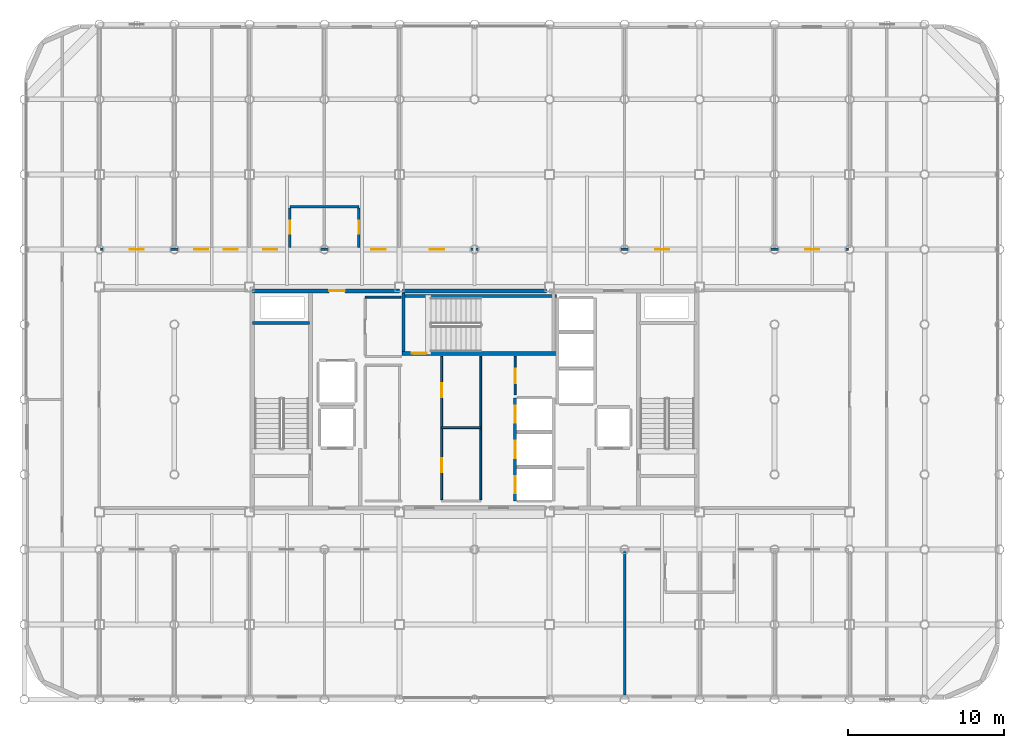
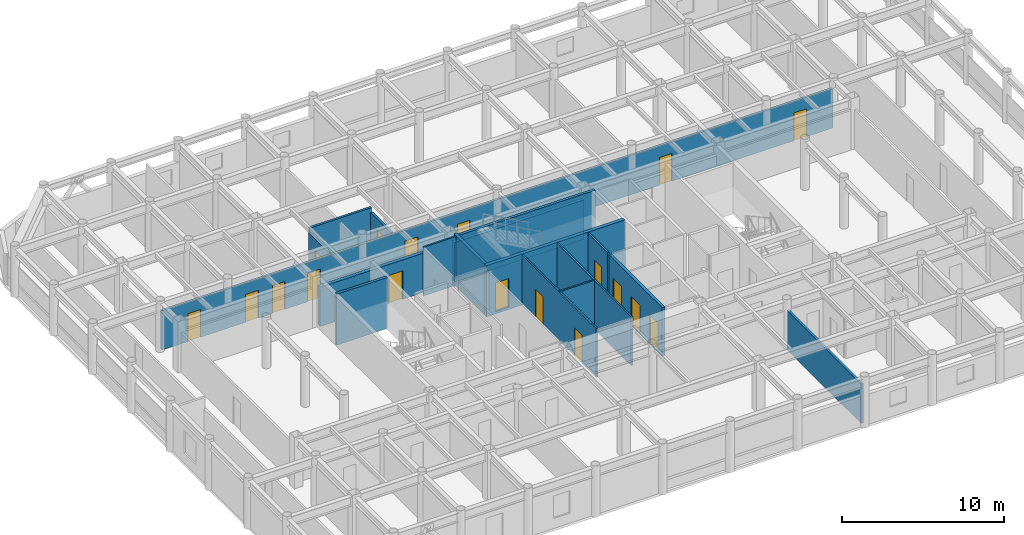
# One storey, part 19 of 22: 18 doors, 17 walls, 18 openings.
"""IFC4 building model written with IfcOpenShell, lengths in metres."""

from ifc_helpers import new_model, si_unit, direction, frame, frame_2d, origin, place, context, subcontext, project, spatial, rectangle, extrude, material, layer, layer_set, type_object, element, fill, save


model = new_model("IFC4")

# Units and contexts
model_context = context("Model", 3, precision=1e-05, world=origin(), true_north=direction((0.0, 1.0)))
body_context = subcontext(model_context, "Body", "Model", "MODEL_VIEW")
ifc_project = project(units=[si_unit("LENGTHUNIT", "METRE"), si_unit("AREAUNIT", "SQUARE_METRE"), si_unit("VOLUMEUNIT", "CUBIC_METRE"), si_unit("PLANEANGLEUNIT", "RADIAN"), si_unit("MASSUNIT", "GRAM", prefix="KILO")], contexts=[model_context])

# Site, building, storey
site_placement = place(None, origin())
site = spatial("IfcSite", under=ifc_project, at=site_placement, CompositionType="ELEMENT")
building_placement = place(site_placement, origin())
building = spatial("IfcBuilding", under=site, at=building_placement, Name="Kallvorn Hotel Tower", CompositionType="ELEMENT")
storey_placement = place(building_placement, frame((0.0, 0.0, 230.0)))
storey = spatial("IfcBuildingStorey", under=building, at=storey_placement, Name="L57", CompositionType="ELEMENT", Elevation=230.0)

# Wall, openings, doors
ifc_material_1 = material(Name="Fire-rated double-layer acoustic gypsum drywall EI 60")
ifc_layer_1 = layer(ifc_material_1, 0.159912109375)
ifc_layer_set_1 = layer_set([ifc_layer_1], Name="WL_DEMISE_160")
wall_type_1 = type_object("IfcWallType", Name="WL_DEMISE_160", PredefinedType="PARTITIONING", material=ifc_layer_set_1)
wall_1_placement = place(storey_placement, frame((-23.919921875, 9.60009765625, 0.0), z_axis=(0.0, 0.0, 1.0), x_axis=(1.0, 0.0, 0.0)))
wall_1 = element("IfcWall", 1, at=wall_1_placement, inside=storey, type_object=wall_type_1, Name="L57 Suite 5703 Standard Twin Room Partition", PredefinedType="PARTITIONING", context=body_context, shape_type="SweptSolid", body=[
    extrude(rectangle(XDim=47.83984375, YDim=0.159912109375, at=frame_2d((23.919921875, 0.0))), origin(), (0.0, 0.0, 1.0), 2.969970703125),
])
opening_1_placement = place(wall_1_placement, frame((1.8701171875, 0.0, 0.0)))
opening_1 = element("IfcOpeningElement", 2, at=opening_1_placement, cuts=wall_1, Name="Opening SVD1", PredefinedType="OPENING", context=body_context, shape_type="SweptSolid", body=[
    extrude(rectangle(XDim=0.89990234375, YDim=2.10009765625, at=frame_2d((0.449951171875, 1.050048828125))), frame((0.0, 0.094970703125, 0.0), z_axis=(0.0, -1.0, 0.0), x_axis=(1.0, 0.0, 0.0)), (0.0, 0.0, 1.0), 0.18994140625),
])
opening_2_placement = place(wall_1_placement, frame((45.070068359375, 0.0, 0.0)))
opening_2 = element("IfcOpeningElement", 3, at=opening_2_placement, cuts=wall_1, Name="Opening SVD1", PredefinedType="OPENING", context=body_context, shape_type="SweptSolid", body=[
    extrude(rectangle(XDim=0.89990234375, YDim=2.10009765625, at=frame_2d((0.449951171875, 1.050048828125))), frame((0.0, 0.094970703125, 0.0), z_axis=(0.0, -1.0, 0.0), x_axis=(1.0, 0.0, 0.0)), (0.0, 0.0, 1.0), 0.18994140625),
])
opening_3_placement = place(wall_1_placement, frame((5.97998046875, 0.0, 0.0)))
opening_3 = element("IfcOpeningElement", 4, at=opening_3_placement, cuts=wall_1, Name="Opening SVD1", PredefinedType="OPENING", context=body_context, shape_type="SweptSolid", body=[
    extrude(rectangle(XDim=0.89990234375, YDim=2.10009765625, at=frame_2d((0.449951171875, 1.050048828125))), frame((0.0, 0.094970703125, 0.0), z_axis=(0.0, -1.0, 0.0), x_axis=(1.0, 0.0, 0.0)), (0.0, 0.0, 1.0), 0.18994140625),
])
opening_4_placement = place(wall_1_placement, frame((7.8701171875, 0.0, 0.0)))
opening_4 = element("IfcOpeningElement", 5, at=opening_4_placement, cuts=wall_1, Name="Opening SVD1", PredefinedType="OPENING", context=body_context, shape_type="SweptSolid", body=[
    extrude(rectangle(XDim=0.89990234375, YDim=2.10009765625, at=frame_2d((0.449951171875, 1.050048828125))), frame((0.0, 0.094970703125, 0.0), z_axis=(0.0, -1.0, 0.0), x_axis=(1.0, 0.0, 0.0)), (0.0, 0.0, 1.0), 0.18994140625),
])
opening_5_placement = place(wall_1_placement, frame((10.39501953125, 0.0, 0.0)))
opening_5 = element("IfcOpeningElement", 6, at=opening_5_placement, cuts=wall_1, Name="Opening GD1", PredefinedType="OPENING", context=body_context, shape_type="SweptSolid", body=[
    extrude(rectangle(XDim=0.919921875, YDim=2.14990234375, at=frame_2d((0.4599609375, 1.074951171875))), frame((0.0, 0.094970703125, 0.0), z_axis=(0.0, -1.0, 0.0), x_axis=(1.0, 0.0, 0.0)), (0.0, 0.0, 1.0), 0.18994140625),
])
opening_6_placement = place(wall_1_placement, frame((17.324951171875, 0.0, 0.0)))
opening_6 = element("IfcOpeningElement", 7, at=opening_6_placement, cuts=wall_1, Name="Opening GD1", PredefinedType="OPENING", context=body_context, shape_type="SweptSolid", body=[
    extrude(rectangle(XDim=0.919921875, YDim=2.14990234375, at=frame_2d((0.4599609375, 1.074951171875))), frame((0.0, 0.094970703125, 0.0), z_axis=(0.0, -1.0, 0.0), x_axis=(1.0, 0.0, 0.0)), (0.0, 0.0, 1.0), 0.18994140625),
])
opening_7_placement = place(wall_1_placement, frame((21.070068359375, 0.0, 0.0)))
opening_7 = element("IfcOpeningElement", 8, at=opening_7_placement, cuts=wall_1, Name="Opening SVD1", PredefinedType="OPENING", context=body_context, shape_type="SweptSolid", body=[
    extrude(rectangle(XDim=0.89990234375, YDim=2.10009765625, at=frame_2d((0.449951171875, 1.050048828125))), frame((0.0, 0.094970703125, 0.0), z_axis=(0.0, -1.0, 0.0), x_axis=(1.0, 0.0, 0.0)), (0.0, 0.0, 1.0), 0.18994140625),
])
opening_8_placement = place(wall_1_placement, frame((35.469970703125, 0.0, 0.0)))
opening_8 = element("IfcOpeningElement", 9, at=opening_8_placement, cuts=wall_1, Name="Opening SVD1", PredefinedType="OPENING", context=body_context, shape_type="SweptSolid", body=[
    extrude(rectangle(XDim=0.89990234375, YDim=2.10009765625, at=frame_2d((0.449951171875, 1.050048828125))), frame((0.0, 0.094970703125, 0.0), z_axis=(0.0, -1.0, 0.0), x_axis=(1.0, 0.0, 0.0)), (0.0, 0.0, 1.0), 0.18994140625),
])
ifc_material_2 = material(Name="Solid-core walnut veneer fire-rated timber door leaf", Category="wood")
door_type_1 = type_object("IfcDoorType", Name="DR_GUEST_920x2150", OperationType="NOTDEFINED", PredefinedType="DOOR", material=ifc_material_2)
door_1_placement = place(opening_5_placement, origin())
door_1 = element("IfcDoor", 10, at=door_1_placement, inside=storey, type_object=door_type_1, Name="L57 Suite 5703 Standard Twin Room Door", OperationType="SINGLE_SWING_RIGHT", OverallHeight=2.14990234375, OverallWidth=0.919921875, PredefinedType="DOOR", context=body_context, shape_type="SweptSolid", body=[
    extrude(rectangle(XDim=0.919921875, YDim=2.14990234375, at=frame_2d((0.4599609375, 1.074951171875))), frame((0.0, 0.02490234375, 0.0), z_axis=(0.0, -1.0, 0.0), x_axis=(1.0, 0.0, 0.0)), (0.0, 0.0, 1.0), 0.050048828125),
])
fill(opening_5, door_1)
door_2_placement = place(opening_6_placement, origin())
door_2 = element("IfcDoor", 11, at=door_2_placement, inside=storey, type_object=door_type_1, Name="L57 Suite 5704 Standard Twin Room Door", OperationType="SINGLE_SWING_RIGHT", OverallHeight=2.14990234375, OverallWidth=0.919921875, PredefinedType="DOOR", context=body_context, shape_type="SweptSolid", body=[
    extrude(rectangle(XDim=0.919921875, YDim=2.14990234375, at=frame_2d((0.4599609375, 1.074951171875))), frame((0.0, 0.02490234375, 0.0), z_axis=(0.0, -1.0, 0.0), x_axis=(1.0, 0.0, 0.0)), (0.0, 0.0, 1.0), 0.050048828125),
])
fill(opening_6, door_2)
ifc_material_3 = material(Name="Galvanised painted steel fire-rated door assembly", Category="steel")
door_type_2 = type_object("IfcDoorType", Name="DR_SERV_900x2100", OperationType="NOTDEFINED", PredefinedType="DOOR", material=ifc_material_3)
door_3_placement = place(opening_1_placement, origin())
door_3 = element("IfcDoor", 12, at=door_3_placement, inside=storey, type_object=door_type_2, Name="L57 L57 High-Zone North-West Reading Salon Door", OperationType="SINGLE_SWING_LEFT", OverallHeight=2.10009765625, OverallWidth=0.89990234375, PredefinedType="DOOR", context=body_context, shape_type="SweptSolid", body=[
    extrude(rectangle(XDim=0.89990234375, YDim=2.10009765625, at=frame_2d((0.449951171875, 1.050048828125))), frame((0.0, 0.02490234375, 0.0), z_axis=(0.0, -1.0, 0.0), x_axis=(1.0, 0.0, 0.0)), (0.0, 0.0, 1.0), 0.050048828125),
])
fill(opening_1, door_3)
door_4_placement = place(opening_2_placement, origin())
door_4 = element("IfcDoor", 13, at=door_4_placement, inside=storey, type_object=door_type_2, Name="L57 L57 High-Zone North-East Pastry Bar Door", OperationType="SINGLE_SWING_RIGHT", OverallHeight=2.10009765625, OverallWidth=0.89990234375, PredefinedType="DOOR", context=body_context, shape_type="SweptSolid", body=[
    extrude(rectangle(XDim=0.89990234375, YDim=2.10009765625, at=frame_2d((0.449951171875, 1.050048828125))), frame((0.0, 0.02490234375, 0.0), z_axis=(0.0, -1.0, 0.0), x_axis=(1.0, 0.0, 0.0)), (0.0, 0.0, 1.0), 0.050048828125),
])
fill(opening_2, door_4)
door_5_placement = place(opening_3_placement, origin())
door_5 = element("IfcDoor", 14, at=door_5_placement, inside=storey, type_object=door_type_2, Name="L57 Housekeeping and Linen Room Door", OperationType="SINGLE_SWING_RIGHT", OverallHeight=2.10009765625, OverallWidth=0.89990234375, PredefinedType="DOOR", context=body_context, shape_type="SweptSolid", body=[
    extrude(rectangle(XDim=0.89990234375, YDim=2.10009765625, at=frame_2d((0.449951171875, 1.050048828125))), frame((0.0, 0.02490234375, 0.0), z_axis=(0.0, -1.0, 0.0), x_axis=(1.0, 0.0, 0.0)), (0.0, 0.0, 1.0), 0.050048828125),
])
fill(opening_3, door_5)
door_6_placement = place(opening_4_placement, origin())
door_6 = element("IfcDoor", 15, at=door_6_placement, inside=storey, type_object=door_type_2, Name="L57 Guest Tea and Refreshment Bar Door", OperationType="SINGLE_SWING_LEFT", OverallHeight=2.10009765625, OverallWidth=0.89990234375, PredefinedType="DOOR", context=body_context, shape_type="SweptSolid", body=[
    extrude(rectangle(XDim=0.89990234375, YDim=2.10009765625, at=frame_2d((0.449951171875, 1.050048828125))), frame((0.0, 0.02490234375, 0.0), z_axis=(0.0, -1.0, 0.0), x_axis=(1.0, 0.0, 0.0)), (0.0, 0.0, 1.0), 0.050048828125),
])
fill(opening_4, door_6)
door_7_placement = place(opening_7_placement, origin())
door_7 = element("IfcDoor", 16, at=door_7_placement, inside=storey, type_object=door_type_2, Name="L57 L57 Executive Co-Working Open-Plan Office 4 Door", OperationType="SINGLE_SWING_LEFT", OverallHeight=2.10009765625, OverallWidth=0.89990234375, PredefinedType="DOOR", context=body_context, shape_type="SweptSolid", body=[
    extrude(rectangle(XDim=0.89990234375, YDim=2.10009765625, at=frame_2d((0.449951171875, 1.050048828125))), frame((0.0, 0.02490234375, 0.0), z_axis=(0.0, -1.0, 0.0), x_axis=(1.0, 0.0, 0.0)), (0.0, 0.0, 1.0), 0.050048828125),
])
fill(opening_7, door_7)
door_8_placement = place(opening_8_placement, origin())
door_8 = element("IfcDoor", 17, at=door_8_placement, inside=storey, type_object=door_type_2, Name="L57 L57 Andean Tasting Sky Restaurant 5 Door", OperationType="SINGLE_SWING_LEFT", OverallHeight=2.10009765625, OverallWidth=0.89990234375, PredefinedType="DOOR", context=body_context, shape_type="SweptSolid", body=[
    extrude(rectangle(XDim=0.89990234375, YDim=2.10009765625, at=frame_2d((0.449951171875, 1.050048828125))), frame((0.0, 0.02490234375, 0.0), z_axis=(0.0, -1.0, 0.0), x_axis=(1.0, 0.0, 0.0)), (0.0, 0.0, 1.0), 0.050048828125),
])
fill(opening_8, door_8)

# Wall
wall_2_placement = place(storey_placement, frame((-11.81005859375, 12.320068359375, 0.0), z_axis=(0.0, 0.0, 1.0), x_axis=(1.0, 0.0, 0.0)))
element("IfcWall", 18, at=wall_2_placement, inside=storey, type_object=wall_type_1, Name="L57 Suite 5703 Standard Twin Room Partition", PredefinedType="PARTITIONING", context=body_context, shape_type="SweptSolid", body=[
    extrude(rectangle(XDim=4.420166015625, YDim=0.159912109375, at=frame_2d((2.2099609375, 0.0))), origin(), (0.0, 0.0, 1.0), 3.31005859375),
])

# Wall, opening, door
wall_3_placement = place(storey_placement, frame((-11.81005859375, 9.719970703125, 0.0), z_axis=(0.0, 0.0, 1.0), x_axis=(0.0, 1.0, 0.0)))
wall_3 = element("IfcWall", 19, at=wall_3_placement, inside=storey, type_object=wall_type_1, Name="L57 Suite 5703 Standard Twin Room Partition", PredefinedType="PARTITIONING", context=body_context, shape_type="SweptSolid", body=[
    extrude(rectangle(XDim=2.51513671875, YDim=0.159912109375, at=frame_2d((1.257568359375, 0.0))), origin(), (0.0, 0.0, 1.0), 2.969970703125),
])
opening_9_placement = place(wall_3_placement, frame((0.8701171875, 0.0, 0.0)))
opening_9 = element("IfcOpeningElement", 20, at=opening_9_placement, cuts=wall_3, Name="Opening BD-I", PredefinedType="OPENING", context=body_context, shape_type="SweptSolid", body=[
    extrude(rectangle(XDim=0.860107421875, YDim=2.10009765625, at=frame_2d((0.43017578125, 1.050048828125))), frame((0.0, 0.094970703125, 0.0), z_axis=(0.0, -1.0, 0.0), x_axis=(1.0, 0.0, 0.0)), (0.0, 0.0, 1.0), 0.18994140625),
])
ifc_material_4 = material(Name="Solid-core walnut veneer fire-rated timber door leaf", Category="wood")
door_type_3 = type_object("IfcDoorType", Name="DR_BATH_860x2100", OperationType="NOTDEFINED", PredefinedType="DOOR", material=ifc_material_4)
door_9_placement = place(opening_9_placement, origin())
door_9 = element("IfcDoor", 21, at=door_9_placement, inside=storey, type_object=door_type_3, Name="L57 Suite 5703 En-Suite Bathroom Door", OperationType="SINGLE_SWING_RIGHT", OverallHeight=2.10009765625, OverallWidth=0.860107421875, PredefinedType="DOOR", context=body_context, shape_type="SweptSolid", body=[
    extrude(rectangle(XDim=0.860107421875, YDim=2.10009765625, at=frame_2d((0.43017578125, 1.050048828125))), frame((0.0, 0.02490234375, 0.0), z_axis=(0.0, -1.0, 0.0), x_axis=(1.0, 0.0, 0.0)), (0.0, 0.0, 1.0), 0.050048828125),
])
fill(opening_9, door_9)

wall_4_placement = place(storey_placement, frame((-7.389892578125, 9.719970703125, 0.0), z_axis=(0.0, 0.0, 1.0), x_axis=(0.0, 1.0, 0.0)))
wall_4 = element("IfcWall", 22, at=wall_4_placement, inside=storey, type_object=wall_type_1, Name="L57 Suite 5704 Standard Twin Room Partition", PredefinedType="PARTITIONING", context=body_context, shape_type="SweptSolid", body=[
    extrude(rectangle(XDim=2.51513671875, YDim=0.159912109375, at=frame_2d((1.257568359375, 0.0))), origin(), (0.0, 0.0, 1.0), 2.969970703125),
])
opening_10_placement = place(wall_4_placement, frame((0.8701171875, 0.0, 0.0)))
opening_10 = element("IfcOpeningElement", 23, at=opening_10_placement, cuts=wall_4, Name="Opening BD-I", PredefinedType="OPENING", context=body_context, shape_type="SweptSolid", body=[
    extrude(rectangle(XDim=0.860107421875, YDim=2.10009765625, at=frame_2d((0.43017578125, 1.050048828125))), frame((0.0, 0.094970703125, 0.0), z_axis=(0.0, -1.0, 0.0), x_axis=(1.0, 0.0, 0.0)), (0.0, 0.0, 1.0), 0.18994140625),
])
door_10_placement = place(opening_10_placement, origin())
door_10 = element("IfcDoor", 24, at=door_10_placement, inside=storey, type_object=door_type_3, Name="L57 Suite 5704 En-Suite Bathroom Door", OperationType="SINGLE_SWING_LEFT", OverallHeight=2.10009765625, OverallWidth=0.860107421875, PredefinedType="DOOR", context=body_context, shape_type="SweptSolid", body=[
    extrude(rectangle(XDim=0.860107421875, YDim=2.10009765625, at=frame_2d((0.43017578125, 1.050048828125))), frame((0.0, 0.02490234375, 0.0), z_axis=(0.0, -1.0, 0.0), x_axis=(1.0, 0.0, 0.0)), (0.0, 0.0, 1.0), 0.050048828125),
])
fill(opening_10, door_10)

# Walls
wall_5_placement = place(storey_placement, frame((9.60009765625, -18.909912109375, 0.0), z_axis=(0.0, 0.0, 1.0), x_axis=(0.0, 1.0, 0.0)))
element("IfcWall", 25, at=wall_5_placement, inside=storey, type_object=wall_type_1, Name="L57 Suite 5701 Superior Twin Room Partition", PredefinedType="PARTITIONING", context=body_context, shape_type="SweptSolid", body=[
    extrude(rectangle(XDim=9.18994140625, YDim=0.159912109375, at=frame_2d((4.594970703125, 0.0))), origin(), (0.0, 0.0, 1.0), 2.969970703125),
])
ifc_material_5 = material(Name="Concrete C40/50", Category="concrete")
ifc_layer_2 = layer(ifc_material_5, 0.199951171875)
ifc_layer_set_2 = layer_set([ifc_layer_2], Name="WL_HOIST_200")
wall_type_2 = type_object("IfcWallType", Name="WL_HOIST_200", PredefinedType="SOLIDWALL", material=ifc_layer_set_2)
wall_6_placement = place(storey_placement, frame((-14.199951171875, 4.89990234375, -0.179931640625), z_axis=(0.0, 0.0, 1.0), x_axis=(1.0, 0.0, 0.0)))
element("IfcWall", 26, at=wall_6_placement, inside=storey, type_object=wall_type_2, Name="L57 Stair ST1 North Wall", PredefinedType="SOLIDWALL", context=body_context, shape_type="SweptSolid", body=[
    extrude(rectangle(XDim=3.64990234375, YDim=0.199951171875, at=frame_2d((1.824951171875, 0.0))), origin(), (0.0, 0.0, 1.0), 3.849853515625),
])
wall_7_placement = place(storey_placement, frame((-4.64990234375, 6.610107421875, -0.179931640625), z_axis=(0.0, 0.0, 1.0), x_axis=(1.0, 0.0, 0.0)))
element("IfcWall", 27, at=wall_7_placement, inside=storey, type_object=wall_type_2, Name="L57 Stair ST3 Shaft North Wall", PredefinedType="SOLIDWALL", context=body_context, shape_type="SweptSolid", body=[
    extrude(rectangle(XDim=9.89990234375, YDim=0.199951171875, at=frame_2d((4.949951171875, 0.0))), origin(), (0.0, 0.0, 1.0), 3.849853515625),
])
wall_8_placement = place(storey_placement, frame((-4.550048828125, 3.080078125, -0.179931640625), z_axis=(0.0, 0.0, 1.0), x_axis=(0.0, 1.0, 0.0)))
element("IfcWall", 28, at=wall_8_placement, inside=storey, type_object=wall_type_2, Name="L57 Stair ST3 West Wall", PredefinedType="SOLIDWALL", context=body_context, shape_type="SweptSolid", body=[
    extrude(rectangle(XDim=3.739990234375, YDim=0.199951171875, at=frame_2d((1.8701171875, 0.0))), origin(), (0.0, 0.0, 1.0), 3.849853515625),
])

# Wall, openings, doors
wall_9_placement = place(storey_placement, frame((2.60009765625, -6.5, 0.0), z_axis=(0.0, 0.0, 1.0), x_axis=(0.0, 1.0, 0.0)))
wall_9 = element("IfcWall", 29, at=wall_9_placement, inside=storey, type_object=wall_type_2, Name="L57 Lift Bank B3A Landing Wall", PredefinedType="SOLIDWALL", context=body_context, shape_type="SweptSolid", body=[
    extrude(rectangle(XDim=6.60009765625, YDim=0.199951171875, at=frame_2d((3.300048828125, 0.0))), origin(), (0.0, 0.0, 1.0), 3.669921875),
])
opening_11_placement = place(wall_9_placement, frame((0.5, 0.0, 0.0)))
opening_11 = element("IfcOpeningElement", 30, at=opening_11_placement, cuts=wall_9, Name="Opening LD-PL-09", PredefinedType="OPENING", context=body_context, shape_type="SweptSolid", body=[
    extrude(rectangle(XDim=1.10009765625, YDim=2.199951171875, at=frame_2d((0.550048828125, 1.10009765625))), frame((0.0, 0.114990234375, 0.0), z_axis=(0.0, -1.0, 0.0), x_axis=(1.0, 0.0, 0.0)), (0.0, 0.0, 1.0), 0.22998046875),
])
opening_12_placement = place(wall_9_placement, frame((2.75, 0.0, 0.0)))
opening_12 = element("IfcOpeningElement", 31, at=opening_12_placement, cuts=wall_9, Name="Opening LD-PL-10", PredefinedType="OPENING", context=body_context, shape_type="SweptSolid", body=[
    extrude(rectangle(XDim=1.10009765625, YDim=2.199951171875, at=frame_2d((0.550048828125, 1.10009765625))), frame((0.0, 0.114990234375, 0.0), z_axis=(0.0, -1.0, 0.0), x_axis=(1.0, 0.0, 0.0)), (0.0, 0.0, 1.0), 0.22998046875),
])
opening_13_placement = place(wall_9_placement, frame((5.0, 0.0, 0.0)))
opening_13 = element("IfcOpeningElement", 32, at=opening_13_placement, cuts=wall_9, Name="Opening LD-PL-11", PredefinedType="OPENING", context=body_context, shape_type="SweptSolid", body=[
    extrude(rectangle(XDim=1.10009765625, YDim=2.199951171875, at=frame_2d((0.550048828125, 1.10009765625))), frame((0.0, 0.114990234375, 0.0), z_axis=(0.0, -1.0, 0.0), x_axis=(1.0, 0.0, 0.0)), (0.0, 0.0, 1.0), 0.22998046875),
])
ifc_material_6 = material(Name="Brushed stainless-steel automatic sliding lift landing door", Category="steel")
door_type_4 = type_object("IfcDoorType", Name="LD_PASS_1100x2200", OperationType="SLIDING_TO_LEFT", PredefinedType="DOOR", material=ifc_material_6)
door_11_placement = place(opening_11_placement, origin())
door_11 = element("IfcDoor", 33, at=door_11_placement, inside=storey, type_object=door_type_4, Name="L57 Lift Landing Sliding Door LD-PL-09", OperationType="SLIDING_TO_LEFT", OverallHeight=2.199951171875, OverallWidth=1.10009765625, PredefinedType="DOOR", context=body_context, shape_type="SweptSolid", body=[
    extrude(rectangle(XDim=1.10009765625, YDim=2.199951171875, at=frame_2d((0.550048828125, 1.10009765625))), frame((0.0, 0.02490234375, 0.0), z_axis=(0.0, -1.0, 0.0), x_axis=(1.0, 0.0, 0.0)), (0.0, 0.0, 1.0), 0.050048828125),
])
fill(opening_11, door_11)
door_12_placement = place(opening_12_placement, origin())
door_12 = element("IfcDoor", 34, at=door_12_placement, inside=storey, type_object=door_type_4, Name="L57 Lift Landing Sliding Door LD-PL-10", OperationType="SLIDING_TO_LEFT", OverallHeight=2.199951171875, OverallWidth=1.10009765625, PredefinedType="DOOR", context=body_context, shape_type="SweptSolid", body=[
    extrude(rectangle(XDim=1.10009765625, YDim=2.199951171875, at=frame_2d((0.550048828125, 1.10009765625))), frame((0.0, 0.02490234375, 0.0), z_axis=(0.0, -1.0, 0.0), x_axis=(1.0, 0.0, 0.0)), (0.0, 0.0, 1.0), 0.050048828125),
])
fill(opening_12, door_12)
door_13_placement = place(opening_13_placement, origin())
door_13 = element("IfcDoor", 35, at=door_13_placement, inside=storey, type_object=door_type_4, Name="L57 Lift Landing Sliding Door LD-PL-11", OperationType="SLIDING_TO_LEFT", OverallHeight=2.199951171875, OverallWidth=1.10009765625, PredefinedType="DOOR", context=body_context, shape_type="SweptSolid", body=[
    extrude(rectangle(XDim=1.10009765625, YDim=2.199951171875, at=frame_2d((0.550048828125, 1.10009765625))), frame((0.0, 0.02490234375, 0.0), z_axis=(0.0, -1.0, 0.0), x_axis=(1.0, 0.0, 0.0)), (0.0, 0.0, 1.0), 0.050048828125),
])
fill(opening_13, door_13)

# Walls
ifc_material_7 = material(Name="Fire-rated double-layer acoustic gypsum drywall EI 60")
ifc_layer_3 = layer(ifc_material_7, 0.1201171875)
ifc_layer_set_3 = layer_set([ifc_layer_3], Name="WL_INT_120")
wall_type_3 = type_object("IfcWallType", Name="WL_INT_120", PredefinedType="PARTITIONING", material=ifc_layer_set_3)
wall_10_placement = place(storey_placement, frame((-2.10009765625, -1.800048828125, 0.0), z_axis=(0.0, 0.0, 1.0), x_axis=(1.0, 0.0, 0.0)))
element("IfcWall", 36, at=wall_10_placement, inside=storey, type_object=wall_type_3, Name="L57 High-Zone Housekeeping Reserve Store Partition", PredefinedType="PARTITIONING", context=body_context, shape_type="SweptSolid", body=[
    extrude(rectangle(XDim=2.5, YDim=0.1201171875, at=frame_2d((1.25, 0.0))), origin(), (0.0, 0.0, 1.0), 3.669921875),
])
wall_11_placement = place(storey_placement, frame((-7.0, 6.550048828125, 0.0), z_axis=(0.0, 0.0, 1.0), x_axis=(1.0, 0.0, 0.0)))
element("IfcWall", 37, at=wall_11_placement, inside=storey, type_object=wall_type_3, Name="L57 Recaptured Valet and Linen Reserve Store Partition", PredefinedType="PARTITIONING", context=body_context, shape_type="SweptSolid", body=[
    extrude(rectangle(XDim=2.31005859375, YDim=0.1201171875, at=frame_2d((1.155029296875, 0.0))), origin(), (0.0, 0.0, 1.0), 3.669921875),
])

# Wall, openings, doors
wall_12_placement = place(storey_placement, frame((-2.10009765625, -6.4150390625, 0.0), z_axis=(0.0, 0.0, 1.0), x_axis=(0.0, 1.0, 0.0)))
wall_12 = element("IfcWall", 38, at=wall_12_placement, inside=storey, type_object=wall_type_3, Name="L57 High-Zone Sommelier and Beverage Pantry Partition", PredefinedType="PARTITIONING", context=body_context, shape_type="SweptSolid", body=[
    extrude(rectangle(XDim=9.1650390625, YDim=0.1201171875, at=frame_2d((4.58251953125, 0.0))), origin(), (0.0, 0.0, 1.0), 3.669921875),
])
opening_14_placement = place(wall_12_placement, frame((1.764892578125, 0.0, 0.0)))
opening_14 = element("IfcOpeningElement", 39, at=opening_14_placement, cuts=wall_12, Name="Opening SVD1", PredefinedType="OPENING", context=body_context, shape_type="SweptSolid", body=[
    extrude(rectangle(XDim=0.89990234375, YDim=2.10009765625, at=frame_2d((0.449951171875, 1.050048828125))), frame((0.0, 0.074951171875, 0.0), z_axis=(0.0, -1.0, 0.0), x_axis=(1.0, 0.0, 0.0)), (0.0, 0.0, 1.0), 0.150146484375),
])
opening_15_placement = place(wall_12_placement, frame((6.56494140625, 0.0, 0.0)))
opening_15 = element("IfcOpeningElement", 40, at=opening_15_placement, cuts=wall_12, Name="Opening SVD1", PredefinedType="OPENING", context=body_context, shape_type="SweptSolid", body=[
    extrude(rectangle(XDim=0.89990234375, YDim=2.10009765625, at=frame_2d((0.449951171875, 1.050048828125))), frame((0.0, 0.074951171875, 0.0), z_axis=(0.0, -1.0, 0.0), x_axis=(1.0, 0.0, 0.0)), (0.0, 0.0, 1.0), 0.150146484375),
])
door_14_placement = place(opening_14_placement, origin())
door_14 = element("IfcDoor", 41, at=door_14_placement, inside=storey, type_object=door_type_2, Name="L57 High-Zone Sommelier and Beverage Pantry Door", OperationType="SINGLE_SWING_LEFT", OverallHeight=2.10009765625, OverallWidth=0.89990234375, PredefinedType="DOOR", context=body_context, shape_type="SweptSolid", body=[
    extrude(rectangle(XDim=0.89990234375, YDim=2.10009765625, at=frame_2d((0.449951171875, 1.050048828125))), frame((0.0, 0.02490234375, 0.0), z_axis=(0.0, -1.0, 0.0), x_axis=(1.0, 0.0, 0.0)), (0.0, 0.0, 1.0), 0.050048828125),
])
fill(opening_14, door_14)
door_15_placement = place(opening_15_placement, origin())
door_15 = element("IfcDoor", 42, at=door_15_placement, inside=storey, type_object=door_type_2, Name="L57 High-Zone Housekeeping Reserve Store Door", OperationType="SINGLE_SWING_RIGHT", OverallHeight=2.10009765625, OverallWidth=0.89990234375, PredefinedType="DOOR", context=body_context, shape_type="SweptSolid", body=[
    extrude(rectangle(XDim=0.89990234375, YDim=2.10009765625, at=frame_2d((0.449951171875, 1.050048828125))), frame((0.0, 0.02490234375, 0.0), z_axis=(0.0, -1.0, 0.0), x_axis=(1.0, 0.0, 0.0)), (0.0, 0.0, 1.0), 0.050048828125),
])
fill(opening_15, door_15)

# Wall
wall_13_placement = place(storey_placement, frame((0.39990234375, -6.4150390625, 0.0), z_axis=(0.0, 0.0, 1.0), x_axis=(0.0, 1.0, 0.0)))
element("IfcWall", 43, at=wall_13_placement, inside=storey, type_object=wall_type_3, Name="L57 High-Zone Sommelier and Beverage Pantry Partition", PredefinedType="PARTITIONING", context=body_context, shape_type="SweptSolid", body=[
    extrude(rectangle(XDim=9.1650390625, YDim=0.1201171875, at=frame_2d((4.58251953125, 0.0))), origin(), (0.0, 0.0, 1.0), 3.669921875),
])

# Wall, opening, door
wall_14_placement = place(storey_placement, frame((2.60009765625, 0.300048828125, 0.0), z_axis=(0.0, 0.0, 1.0), x_axis=(0.0, 1.0, 0.0)))
wall_14 = element("IfcWall", 44, at=wall_14_placement, inside=storey, type_object=wall_type_3, Name="L57 East Core Janitor Room Partition", PredefinedType="PARTITIONING", context=body_context, shape_type="SweptSolid", body=[
    extrude(rectangle(XDim=2.449951171875, YDim=0.1201171875, at=frame_2d((1.22509765625, 0.0))), origin(), (0.0, 0.0, 1.0), 3.669921875),
])
opening_16_placement = place(wall_14_placement, frame((0.75, 0.0, 0.0)))
opening_16 = element("IfcOpeningElement", 45, at=opening_16_placement, cuts=wall_14, Name="Opening SVD1", PredefinedType="OPENING", context=body_context, shape_type="SweptSolid", body=[
    extrude(rectangle(XDim=0.89990234375, YDim=2.10009765625, at=frame_2d((0.449951171875, 1.050048828125))), frame((0.0, 0.074951171875, 0.0), z_axis=(0.0, -1.0, 0.0), x_axis=(1.0, 0.0, 0.0)), (0.0, 0.0, 1.0), 0.150146484375),
])
door_16_placement = place(opening_16_placement, origin())
door_16 = element("IfcDoor", 46, at=door_16_placement, inside=storey, type_object=door_type_2, Name="L57 East Core Janitor Room Door", OperationType="SINGLE_SWING_RIGHT", OverallHeight=2.10009765625, OverallWidth=0.89990234375, PredefinedType="DOOR", context=body_context, shape_type="SweptSolid", body=[
    extrude(rectangle(XDim=0.89990234375, YDim=2.10009765625, at=frame_2d((0.449951171875, 1.050048828125))), frame((0.0, 0.02490234375, 0.0), z_axis=(0.0, -1.0, 0.0), x_axis=(1.0, 0.0, 0.0)), (0.0, 0.0, 1.0), 0.050048828125),
])
fill(opening_16, door_16)

ifc_material_8 = material(Name="Concrete C40/50", Category="concrete")
ifc_layer_4 = layer(ifc_material_8, 0.25)
ifc_layer_set_4 = layer_set([ifc_layer_4], Name="WL_SHAFT_250")
wall_type_4 = type_object("IfcWallType", Name="WL_SHAFT_250", PredefinedType="SOLIDWALL", material=ifc_layer_set_4)
wall_15_placement = place(storey_placement, frame((-14.199951171875, 6.949951171875, 0.0), z_axis=(0.0, 0.0, 1.0), x_axis=(1.0, 0.0, 0.0)))
wall_15 = element("IfcWall", 47, at=wall_15_placement, inside=storey, type_object=wall_type_4, Name="L57 Core North-West Wall", PredefinedType="SOLIDWALL", context=body_context, shape_type="SweptSolid", body=[
    extrude(rectangle(XDim=9.39990234375, YDim=0.25, at=frame_2d((4.699951171875, 0.0))), origin(), (0.0, 0.0, 1.0), 2.969970703125),
])
opening_17_placement = place(wall_15_placement, frame((4.89990234375, 0.0, 0.0)))
opening_17 = element("IfcOpeningElement", 48, at=opening_17_placement, cuts=wall_15, Name="Opening FD1", PredefinedType="OPENING", context=body_context, shape_type="SweptSolid", body=[
    extrude(rectangle(XDim=1.0, YDim=2.14990234375, at=frame_2d((0.5, 1.074951171875))), frame((0.0, 0.139892578125, 0.0), z_axis=(0.0, -1.0, 0.0), x_axis=(1.0, 0.0, 0.0)), (0.0, 0.0, 1.0), 0.280029296875),
])
ifc_material_9 = material(Name="Galvanised painted steel fire-rated door assembly", Category="steel")
door_type_5 = type_object("IfcDoorType", Name="DR_FFL_1000x2150", OperationType="NOTDEFINED", PredefinedType="DOOR", material=ifc_material_9)
door_17_placement = place(opening_17_placement, origin())
door_17 = element("IfcDoor", 49, at=door_17_placement, inside=storey, type_object=door_type_5, Name="L57 Service Lift Lobby Door", OperationType="SINGLE_SWING_LEFT", OverallHeight=2.14990234375, OverallWidth=1.0, PredefinedType="DOOR", context=body_context, shape_type="SweptSolid", body=[
    extrude(rectangle(XDim=1.0, YDim=2.14990234375, at=frame_2d((0.5, 1.074951171875))), frame((0.0, 0.02490234375, 0.0), z_axis=(0.0, -1.0, 0.0), x_axis=(1.0, 0.0, 0.0)), (0.0, 0.0, 1.0), 0.050048828125),
])
fill(opening_17, door_17)

# Wall
wall_16_placement = place(storey_placement, frame((-4.60009765625, 6.949951171875, 0.0), z_axis=(0.0, 0.0, 1.0), x_axis=(1.0, 0.0, 0.0)))
element("IfcWall", 50, at=wall_16_placement, inside=storey, type_object=wall_type_4, Name="L57 Core North-Central Wall", PredefinedType="SOLIDWALL", context=body_context, shape_type="SweptSolid", body=[
    extrude(rectangle(XDim=9.2001953125, YDim=0.25, at=frame_2d((4.60009765625, 0.0))), origin(), (0.0, 0.0, 1.0), 2.969970703125),
])

# Wall, opening, door
wall_17_placement = place(storey_placement, frame((-4.64990234375, 2.949951171875, -0.179931640625), z_axis=(0.0, 0.0, 1.0), x_axis=(1.0, 0.0, 0.0)))
wall_17 = element("IfcWall", 51, at=wall_17_placement, inside=storey, type_object=wall_type_4, Name="L57 Stair ST3 Shaft South Wall", PredefinedType="SOLIDWALL", context=body_context, shape_type="SweptSolid", body=[
    extrude(rectangle(XDim=9.89990234375, YDim=0.25, at=frame_2d((4.949951171875, 0.0))), origin(), (0.0, 0.0, 1.0), 3.849853515625),
])
opening_18_placement = place(wall_17_placement, frame((0.64990234375, 0.0, 0.179931640625)))
opening_18 = element("IfcOpeningElement", 52, at=opening_18_placement, cuts=wall_17, Name="Opening SD1", PredefinedType="OPENING", context=body_context, shape_type="SweptSolid", body=[
    extrude(rectangle(XDim=0.949951171875, YDim=2.14990234375, at=frame_2d((0.47509765625, 1.074951171875))), frame((0.0, 0.139892578125, 0.0), z_axis=(0.0, -1.0, 0.0), x_axis=(1.0, 0.0, 0.0)), (0.0, 0.0, 1.0), 0.280029296875),
])
ifc_material_10 = material(Name="Galvanised painted steel fire-rated door assembly", Category="steel")
door_type_6 = type_object("IfcDoorType", Name="DR_STAIR_950x2150", OperationType="NOTDEFINED", PredefinedType="DOOR", material=ifc_material_10)
door_18_placement = place(opening_18_placement, origin())
door_18 = element("IfcDoor", 53, at=door_18_placement, inside=storey, type_object=door_type_6, Name="L57 Exit Stair ST3 Fire Door", OperationType="SINGLE_SWING_RIGHT", OverallHeight=2.14990234375, OverallWidth=0.949951171875, PredefinedType="DOOR", context=body_context, shape_type="SweptSolid", body=[
    extrude(rectangle(XDim=0.949951171875, YDim=2.14990234375, at=frame_2d((0.47509765625, 1.074951171875))), frame((0.0, 0.02490234375, 0.0), z_axis=(0.0, -1.0, 0.0), x_axis=(1.0, 0.0, 0.0)), (0.0, 0.0, 1.0), 0.050048828125),
])
fill(opening_18, door_18)

save(model, "model.ifc")
